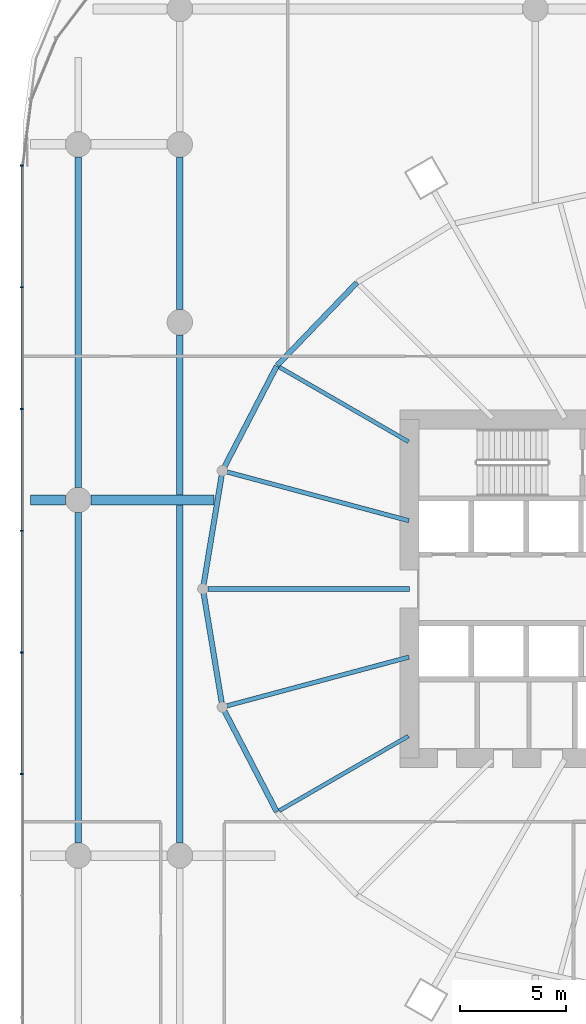
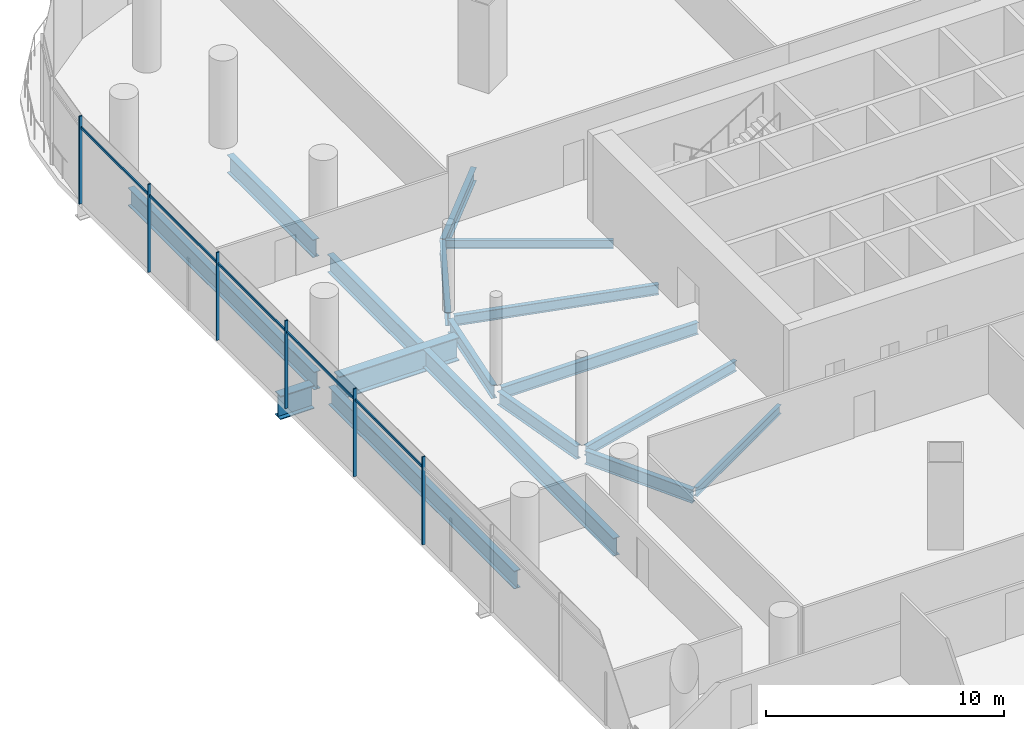
# One storey, part 7 of 43: 17 beams, 11 members, 1 element without a shape of its own.
"""IFC4 building model written with IfcOpenShell, lengths in metres."""

from ifc_helpers import new_model, si_unit, direction, frame, origin, origin_2d, place, context, subcontext, project, spatial, rectangle, i_section, extrude, material, material_profile, profile_set, type_object, element, aggregate, save


model = new_model("IFC4")

# Units and contexts
model_context = context("Model", 3, precision=1e-05, world=origin(), true_north=direction((0.0, 1.0)))
body_context = subcontext(model_context, "Body", "Model", "MODEL_VIEW")
ifc_project = project(units=[si_unit("LENGTHUNIT", "METRE"), si_unit("AREAUNIT", "SQUARE_METRE"), si_unit("VOLUMEUNIT", "CUBIC_METRE"), si_unit("PLANEANGLEUNIT", "RADIAN"), si_unit("MASSUNIT", "GRAM", prefix="KILO")], contexts=[model_context])

# Site, building, storey
site_placement = place(None, origin())
site = spatial("IfcSite", under=ifc_project, at=site_placement, CompositionType="ELEMENT")
building_placement = place(site_placement, origin())
building = spatial("IfcBuilding", under=site, at=building_placement, Name="Rimbun Link Towers", CompositionType="ELEMENT")
storey_placement = place(building_placement, frame((0.0, 0.0, 12.0)))
storey = spatial("IfcBuildingStorey", under=building, at=storey_placement, Name="L02", CompositionType="ELEMENT", Elevation=12.0)

# Curtain wall, members
ifc_material_1 = material(Name="Aluminium 6063-T6 and low-iron glass", Category="aluminium")
curtain_wall_type = type_object("IfcCurtainWallType", Name="CW3 podium shopfront", PredefinedType="NOTDEFINED", material=ifc_material_1)
curtain_wall_placement = place(storey_placement, origin())
curtain_wall = element("IfcCurtainWall", 1, at=curtain_wall_placement, inside=storey, type_object=curtain_wall_type, Name="CW3 L02 PD", PredefinedType="NOTDEFINED")
ifc_material_2 = material(Name="Aluminium 6063-T6", Category="aluminium")
ifc_material_profile_1 = material_profile(ifc_material_2, rectangle(XDim=0.14990234375, YDim=0.06005859375, at=origin_2d()), Name="MULLION 60X150")
ifc_profile_set_1 = profile_set([ifc_material_profile_1], Name="Aluminium 6063-T6")
member_type_1 = type_object("IfcMemberType", Name="CW3 mullion 60X150", PredefinedType="MULLION", material=ifc_profile_set_1)
member_1_placement = place(storey_placement, frame((-62.074951171875, 20.0048828125, 0.0), z_axis=(0.0, 0.0, 1.0), x_axis=(-0.997858781723, 0.065405288299, 0.0)))
member_1 = element("IfcMember", 2, at=member_1_placement, type_object=member_type_1, Name="CW3 mullion", PredefinedType="MULLION", context=body_context, shape_type="SweptSolid", body=[
    extrude(rectangle(XDim=0.14990234375, YDim=0.06005859375, at=origin_2d()), origin(), (0.0, 0.0, 1.0), 4.5),
])
member_2_placement = place(storey_placement, frame((-62.074951171875, 14.25, 0.0), z_axis=(0.0, 0.0, 1.0), x_axis=(-1.0, 0.0, 0.0)))
member_2 = element("IfcMember", 3, at=member_2_placement, type_object=member_type_1, Name="CW3 mullion", PredefinedType="MULLION", context=body_context, shape_type="SweptSolid", body=[
    extrude(rectangle(XDim=0.14990234375, YDim=0.06005859375, at=origin_2d()), origin(), (0.0, 0.0, 1.0), 4.5),
])
member_3_placement = place(storey_placement, frame((-62.074951171875, 8.5, 0.0), z_axis=(0.0, 0.0, 1.0), x_axis=(-1.0, 0.0, 0.0)))
member_3 = element("IfcMember", 4, at=member_3_placement, type_object=member_type_1, Name="CW3 mullion", PredefinedType="MULLION", context=body_context, shape_type="SweptSolid", body=[
    extrude(rectangle(XDim=0.14990234375, YDim=0.06005859375, at=origin_2d()), origin(), (0.0, 0.0, 1.0), 4.5),
])
member_4_placement = place(storey_placement, frame((-62.074951171875, 2.75, 0.0), z_axis=(0.0, 0.0, 1.0), x_axis=(-1.0, 0.0, 0.0)))
member_4 = element("IfcMember", 5, at=member_4_placement, type_object=member_type_1, Name="CW3 mullion", PredefinedType="MULLION", context=body_context, shape_type="SweptSolid", body=[
    extrude(rectangle(XDim=0.14990234375, YDim=0.06005859375, at=origin_2d()), origin(), (0.0, 0.0, 1.0), 4.5),
])
member_5_placement = place(storey_placement, frame((-62.074951171875, -3.0, 0.0), z_axis=(0.0, 0.0, 1.0), x_axis=(-1.0, 0.0, 0.0)))
member_5 = element("IfcMember", 6, at=member_5_placement, type_object=member_type_1, Name="CW3 mullion", PredefinedType="MULLION", context=body_context, shape_type="SweptSolid", body=[
    extrude(rectangle(XDim=0.14990234375, YDim=0.06005859375, at=origin_2d()), origin(), (0.0, 0.0, 1.0), 4.5),
])
member_6_placement = place(storey_placement, frame((-62.074951171875, -8.75, 0.0), z_axis=(0.0, 0.0, 1.0), x_axis=(-1.0, 0.0, 0.0)))
member_6 = element("IfcMember", 7, at=member_6_placement, type_object=member_type_1, Name="CW3 mullion", PredefinedType="MULLION", context=body_context, shape_type="SweptSolid", body=[
    extrude(rectangle(XDim=0.14990234375, YDim=0.06005859375, at=origin_2d()), origin(), (0.0, 0.0, 1.0), 4.5),
])
ifc_material_3 = material(Name="Aluminium 6063-T6", Category="aluminium")
ifc_material_profile_2 = material_profile(ifc_material_3, rectangle(XDim=0.06005859375, YDim=0.1201171875, at=origin_2d()), Name="TRANSOM 60X120")
ifc_profile_set_2 = profile_set([ifc_material_profile_2], Name="Aluminium 6063-T6")
member_type_2 = type_object("IfcMemberType", Name="CW3 transom 60X120", PredefinedType="USERDEFINED", material=ifc_profile_set_2)
member_7_placement = place(storey_placement, frame((-62.053955078125, 14.280029296875, 3.89990234375), z_axis=(0.0, 1.0, 0.0), x_axis=(-1.0, 0.0, 0.0)))
member_7 = element("IfcMember", 8, at=member_7_placement, type_object=member_type_2, Name="CW3 transom", ObjectType="TRANSOM", PredefinedType="USERDEFINED", context=body_context, shape_type="SweptSolid", body=[
    extrude(rectangle(XDim=0.06005859375, YDim=0.1201171875, at=origin_2d()), origin(), (0.0, 0.0, 1.0), 5.68994140625),
])
member_8_placement = place(storey_placement, frame((-62.053955078125, 8.530029296875, 3.89990234375), z_axis=(0.0, 1.0, 0.0), x_axis=(-1.0, 0.0, 0.0)))
member_8 = element("IfcMember", 9, at=member_8_placement, type_object=member_type_2, Name="CW3 transom", ObjectType="TRANSOM", PredefinedType="USERDEFINED", context=body_context, shape_type="SweptSolid", body=[
    extrude(rectangle(XDim=0.06005859375, YDim=0.1201171875, at=origin_2d()), origin(), (0.0, 0.0, 1.0), 5.68994140625),
])
member_9_placement = place(storey_placement, frame((-62.053955078125, 2.780029296875, 3.89990234375), z_axis=(0.0, 1.0, 0.0), x_axis=(-1.0, 0.0, 0.0)))
member_9 = element("IfcMember", 10, at=member_9_placement, type_object=member_type_2, Name="CW3 transom", ObjectType="TRANSOM", PredefinedType="USERDEFINED", context=body_context, shape_type="SweptSolid", body=[
    extrude(rectangle(XDim=0.06005859375, YDim=0.1201171875, at=origin_2d()), origin(), (0.0, 0.0, 1.0), 5.68994140625),
])
member_10_placement = place(storey_placement, frame((-62.053955078125, -2.969970703125, 3.89990234375), z_axis=(0.0, 1.0, 0.0), x_axis=(-1.0, 0.0, 0.0)))
member_10 = element("IfcMember", 11, at=member_10_placement, type_object=member_type_2, Name="CW3 transom", ObjectType="TRANSOM", PredefinedType="USERDEFINED", context=body_context, shape_type="SweptSolid", body=[
    extrude(rectangle(XDim=0.06005859375, YDim=0.1201171875, at=origin_2d()), origin(), (0.0, 0.0, 1.0), 5.68994140625),
])
member_11_placement = place(storey_placement, frame((-62.053955078125, -8.719970703125, 3.89990234375), z_axis=(0.0, 1.0, 0.0), x_axis=(-1.0, 0.0, 0.0)))
member_11 = element("IfcMember", 12, at=member_11_placement, type_object=member_type_2, Name="CW3 transom", ObjectType="TRANSOM", PredefinedType="USERDEFINED", context=body_context, shape_type="SweptSolid", body=[
    extrude(rectangle(XDim=0.06005859375, YDim=0.1201171875, at=origin_2d()), origin(), (0.0, 0.0, 1.0), 5.68994140625),
])
aggregate(curtain_wall, [member_1, member_2, member_3, member_4, member_5, member_6, member_7, member_8, member_9, member_10, member_11])

# Beams
ifc_material_4 = material(Name="Steel S355J2", Category="steel")
ifc_material_profile_3 = material_profile(ifc_material_4, i_section(OverallWidth=0.449951171875, OverallDepth=1.199951171875, WebThickness=0.030029296875, FlangeThickness=0.044921875, at=origin_2d()), Name="PG 1200x450x30/45")
ifc_profile_set_3 = profile_set([ifc_material_profile_3], Name="Steel S355J2")
beam_type_1 = type_object("IfcBeamType", Name="PG 1200x450x30/45", PredefinedType="BEAM", material=ifc_profile_set_3)
beam_1_placement = place(storey_placement, frame((-61.649169921875, 4.199951171875, -0.89990234375), z_axis=(1.0, 0.0, 0.0), x_axis=(0.0, 1.0, 0.0)))
element("IfcBeam", 13, at=beam_1_placement, inside=storey, type_object=beam_type_1, Name="Grid beam L02 +4.2", PredefinedType="BEAM", context=body_context, shape_type="SweptSolid", body=[
    extrude(i_section(OverallWidth=0.449951171875, OverallDepth=1.199951171875, WebThickness=0.030029296875, FlangeThickness=0.044921875, at=origin_2d()), origin(), (0.0, 0.0, 1.0), 1.649169921875),
])
beam_2_placement = place(storey_placement, frame((-58.800048828125, 4.199951171875, -0.89990234375), z_axis=(1.0, 0.0, 0.0), x_axis=(0.0, 1.0, 0.0)))
element("IfcBeam", 14, at=beam_2_placement, inside=storey, type_object=beam_type_1, Name="Grid beam L02 +4.2", PredefinedType="BEAM", context=body_context, shape_type="SweptSolid", body=[
    extrude(i_section(OverallWidth=0.449951171875, OverallDepth=1.199951171875, WebThickness=0.030029296875, FlangeThickness=0.044921875, at=origin_2d()), origin(), (0.0, 0.0, 1.0), 5.818115234375),
])
ifc_material_5 = material(Name="Steel S355J2", Category="steel")
ifc_material_profile_4 = material_profile(ifc_material_5, i_section(OverallWidth=0.18994140625, OverallDepth=0.453369140625, WebThickness=0.008544921875, FlangeThickness=0.0126953125, at=origin_2d()), Name="UB 457x191x67")
ifc_profile_set_4 = profile_set([ifc_material_profile_4], Name="Steel S355J2")
beam_type_2 = type_object("IfcBeamType", Name="UB 457x191x67", PredefinedType="BEAM", material=ifc_profile_set_4)
for number, where, z_axis, x_axis, name in (
    (15, (-43.79833984375, 6.9560546875, -0.526611328125), (-0.866023453068, 0.500003378725, 0.0), (-0.500003378725, -0.866023453068, 0.0), "Radial beam T1 L02 10"),
    (16, (-43.79833984375, -6.9560546875, -0.526611328125), (-0.866023453068, -0.500003378725, 0.0), (0.500003378725, -0.866023453068, 0.0), "Radial beam T1 L02 14"),
):
    element("IfcBeam", number, at=place(storey_placement, frame(where, z_axis=z_axis, x_axis=x_axis)), inside=storey, type_object=beam_type_2, Name=name, PredefinedType="BEAM", context=body_context, shape_type="SweptSolid", body=[
        extrude(i_section(OverallWidth=0.18994140625, OverallDepth=0.453369140625, WebThickness=0.008544921875, FlangeThickness=0.0126953125, at=origin_2d()), origin(), (0.0, 0.0, 1.0), 7.04638671875),
    ])
ifc_material_6 = material(Name="Steel S355J2", Category="steel")
ifc_material_profile_5 = material_profile(ifc_material_6, i_section(OverallWidth=0.209228515625, OverallDepth=0.533203125, WebThickness=0.010009765625, FlangeThickness=0.015625, at=origin_2d()), Name="UB 533x210x92")
ifc_profile_set_5 = profile_set([ifc_material_profile_5], Name="Steel S355J2")
beam_type_3 = type_object("IfcBeamType", Name="UB 533x210x92", PredefinedType="BEAM", material=ifc_profile_set_5)
for number, where, z_axis, x_axis, name in (
    (17, (-43.778076171875, 3.222900390625, -0.566650390625), (-0.965921441409, 0.258835409145, 0.0), (-0.258835409145, -0.965921441409, 0.0), "Radial beam T1 L02 11"),
    (18, (-43.778076171875, -3.222900390625, -0.566650390625), (-0.965921441409, -0.258835409145, 0.0), (0.258835409145, -0.965921441409, 0.0), "Radial beam T1 L02 13"),
):
    element("IfcBeam", number, at=place(storey_placement, frame(where, z_axis=z_axis, x_axis=x_axis)), inside=storey, type_object=beam_type_3, Name=name, PredefinedType="BEAM", context=body_context, shape_type="SweptSolid", body=[
        extrude(i_section(OverallWidth=0.209228515625, OverallDepth=0.533203125, WebThickness=0.010009765625, FlangeThickness=0.015625, at=origin_2d()), origin(), (0.0, 0.0, 1.0), 8.88720703125),
    ])
ifc_material_7 = material(Name="Steel S355J2", Category="steel")
ifc_material_profile_6 = material_profile(ifc_material_7, i_section(OverallWidth=0.2275390625, OverallDepth=0.6025390625, WebThickness=0.010498046875, FlangeThickness=0.014892578125, at=origin_2d()), Name="UB 610x229x101")
ifc_profile_set_6 = profile_set([ifc_material_profile_6], Name="Steel S355J2")
beam_type_4 = type_object("IfcBeamType", Name="UB 610x229x101", PredefinedType="BEAM", material=ifc_profile_set_6)
beam_3_placement = place(storey_placement, frame((-43.7509765625, 0.0, -0.601318359375), z_axis=(-1.0, 0.0, 0.0), x_axis=(0.0, -1.0, 0.0)))
element("IfcBeam", 19, at=beam_3_placement, inside=storey, type_object=beam_type_4, Name="Radial beam T1 L02 12", PredefinedType="BEAM", context=body_context, shape_type="SweptSolid", body=[
    extrude(i_section(OverallWidth=0.2275390625, OverallDepth=0.6025390625, WebThickness=0.010498046875, FlangeThickness=0.014892578125, at=origin_2d()), origin(), (0.0, 0.0, 1.0), 9.5263671875),
])
ifc_material_8 = material(Name="Steel S355J2", Category="steel")
ifc_material_profile_7 = material_profile(ifc_material_8, i_section(OverallWidth=0.253662109375, OverallDepth=0.68359375, WebThickness=0.012451171875, FlangeThickness=0.01904296875, at=origin_2d()), Name="UB 686x254x140")
ifc_profile_set_7 = profile_set([ifc_material_profile_7], Name="Steel S355J2")
beam_type_5 = type_object("IfcBeamType", Name="UB 686x254x140", PredefinedType="BEAM", material=ifc_profile_set_7)
beam_4_placement = place(storey_placement, frame((-46.240966796875, 14.466552734375, -0.641845703125), z_axis=(-0.692988130851, -0.720948992995, 0.0), x_axis=(0.720948992995, -0.692988130851, 0.0)))
element("IfcBeam", 20, at=beam_4_placement, inside=storey, type_object=beam_type_5, Name="Edge beam T1 L02 09", PredefinedType="BEAM", context=body_context, shape_type="SweptSolid", body=[
    extrude(i_section(OverallWidth=0.253662109375, OverallDepth=0.68359375, WebThickness=0.012451171875, FlangeThickness=0.01904296875, at=origin_2d()), origin(), (0.0, 0.0, 1.0), 5.42236328125),
])
beam_5_placement = place(storey_placement, frame((-50.020751953125, 10.5263671875, -0.641845703125), z_axis=(-0.460708800711, -0.887551351161, 0.0), x_axis=(0.887551351161, -0.460708800711, 0.0)))
element("IfcBeam", 21, at=beam_5_placement, inside=storey, type_object=beam_type_5, Name="Edge beam T1 L02 10", PredefinedType="BEAM", context=body_context, shape_type="SweptSolid", body=[
    extrude(i_section(OverallWidth=0.253662109375, OverallDepth=0.68359375, WebThickness=0.012451171875, FlangeThickness=0.01904296875, at=origin_2d()), origin(), (0.0, 0.0, 1.0), 5.34912109375),
])
for number, where, z_axis, x_axis, name in (
    (22, (-52.62255859375, 5.365478515625, -0.641845703125), (-0.163063422521, -0.986615588887, 0.0), (0.986615588887, -0.163063422521, 0.0), "Edge beam T1 L02 11"),
    (23, (-53.473388671875, -0.217529296875, -0.641845703125), (0.163063422521, -0.986615588887, 0.0), (0.986615588887, 0.163063422521, 0.0), "Edge beam T1 L02 12"),
):
    element("IfcBeam", number, at=place(storey_placement, frame(where, z_axis=z_axis, x_axis=x_axis)), inside=storey, type_object=beam_type_5, Name=name, PredefinedType="BEAM", context=body_context, shape_type="SweptSolid", body=[
        extrude(i_section(OverallWidth=0.253662109375, OverallDepth=0.68359375, WebThickness=0.012451171875, FlangeThickness=0.01904296875, at=origin_2d()), origin(), (0.0, 0.0, 1.0), 5.2177734375),
    ])
beam_6_placement = place(storey_placement, frame((-52.485107421875, -5.77880859375, -0.641845703125), z_axis=(0.460708800711, -0.887551351161, 0.0), x_axis=(0.887551351161, 0.460708800711, 0.0)))
element("IfcBeam", 24, at=beam_6_placement, inside=storey, type_object=beam_type_5, Name="Edge beam T1 L02 13", PredefinedType="BEAM", context=body_context, shape_type="SweptSolid", body=[
    extrude(i_section(OverallWidth=0.253662109375, OverallDepth=0.68359375, WebThickness=0.012451171875, FlangeThickness=0.01904296875, at=origin_2d()), origin(), (0.0, 0.0, 1.0), 5.34912109375),
])
ifc_material_9 = material(Name="Steel S355J2", Category="steel")
ifc_material_profile_8 = material_profile(ifc_material_9, i_section(OverallWidth=0.305419921875, OverallDepth=0.91845703125, WebThickness=0.017333984375, FlangeThickness=0.02783203125, at=origin_2d()), Name="UB 914x305x253")
ifc_profile_set_8 = profile_set([ifc_material_profile_8], Name="Steel S355J2")
beam_type_6 = type_object("IfcBeamType", Name="UB 914x305x253", PredefinedType="BEAM", material=ifc_profile_set_8)
beam_7_placement = place(storey_placement, frame((-59.39990234375, -12.0, -0.75927734375), z_axis=(0.0, 1.0, 0.0), x_axis=(-1.0, 0.0, 0.0)))
element("IfcBeam", 25, at=beam_7_placement, inside=storey, type_object=beam_type_6, Name="Grid beam L02 -59.4", PredefinedType="BEAM", context=body_context, shape_type="SweptSolid", body=[
    extrude(i_section(OverallWidth=0.305419921875, OverallDepth=0.91845703125, WebThickness=0.017333984375, FlangeThickness=0.02783203125, at=origin_2d()), origin(), (0.0, 0.0, 1.0), 15.60009765625),
])
beam_8_placement = place(storey_placement, frame((-59.39990234375, 4.800048828125, -0.75927734375), z_axis=(0.0, 1.0, 0.0), x_axis=(-1.0, 0.0, 0.0)))
element("IfcBeam", 26, at=beam_8_placement, inside=storey, type_object=beam_type_6, Name="Grid beam L02 -59.4", PredefinedType="BEAM", context=body_context, shape_type="SweptSolid", body=[
    extrude(i_section(OverallWidth=0.305419921875, OverallDepth=0.91845703125, WebThickness=0.017333984375, FlangeThickness=0.02783203125, at=origin_2d()), origin(), (0.0, 0.0, 1.0), 15.599853515625),
])
beam_9_placement = place(storey_placement, frame((-54.60009765625, -12.0, -0.75927734375), z_axis=(0.0, 1.0, 0.0), x_axis=(-1.0, 0.0, 0.0)))
element("IfcBeam", 27, at=beam_9_placement, inside=storey, type_object=beam_type_6, Name="Grid beam L02 -54.6", PredefinedType="BEAM", context=body_context, shape_type="SweptSolid", body=[
    extrude(i_section(OverallWidth=0.305419921875, OverallDepth=0.91845703125, WebThickness=0.017333984375, FlangeThickness=0.02783203125, at=origin_2d()), origin(), (0.0, 0.0, 1.0), 15.97509765625),
])
beam_10_placement = place(storey_placement, frame((-54.60009765625, 4.425048828125, -0.75927734375), z_axis=(0.0, 1.0, 0.0), x_axis=(-1.0, 0.0, 0.0)))
element("IfcBeam", 28, at=beam_10_placement, inside=storey, type_object=beam_type_6, Name="Grid beam L02 -54.6", PredefinedType="BEAM", context=body_context, shape_type="SweptSolid", body=[
    extrude(i_section(OverallWidth=0.305419921875, OverallDepth=0.91845703125, WebThickness=0.017333984375, FlangeThickness=0.02783203125, at=origin_2d()), origin(), (0.0, 0.0, 1.0), 7.574951171875),
])
beam_11_placement = place(storey_placement, frame((-54.60009765625, 13.199951171875, -0.75927734375), z_axis=(0.0, 1.0, 0.0), x_axis=(-1.0, 0.0, 0.0)))
element("IfcBeam", 29, at=beam_11_placement, inside=storey, type_object=beam_type_6, Name="Grid beam L02 -54.6", PredefinedType="BEAM", context=body_context, shape_type="SweptSolid", body=[
    extrude(i_section(OverallWidth=0.305419921875, OverallDepth=0.91845703125, WebThickness=0.017333984375, FlangeThickness=0.02783203125, at=origin_2d()), origin(), (0.0, 0.0, 1.0), 7.199951171875),
])

save(model, "model.ifc")
